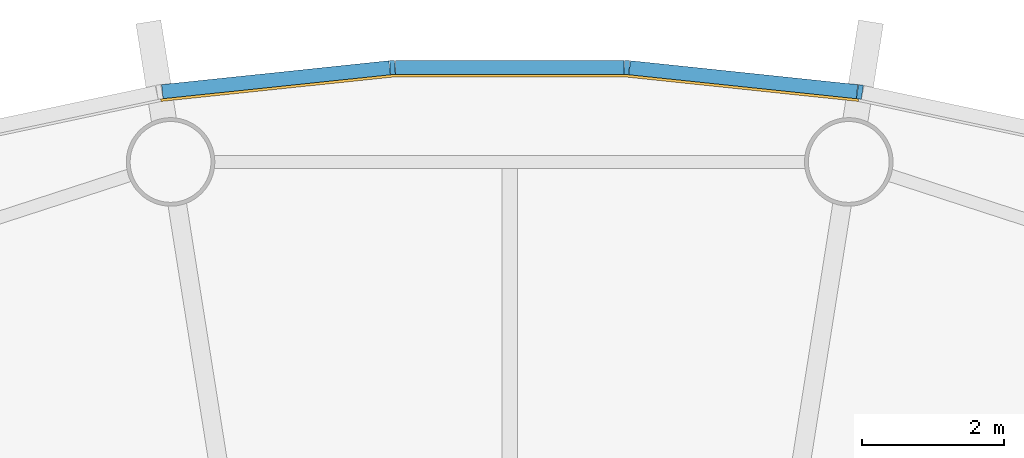
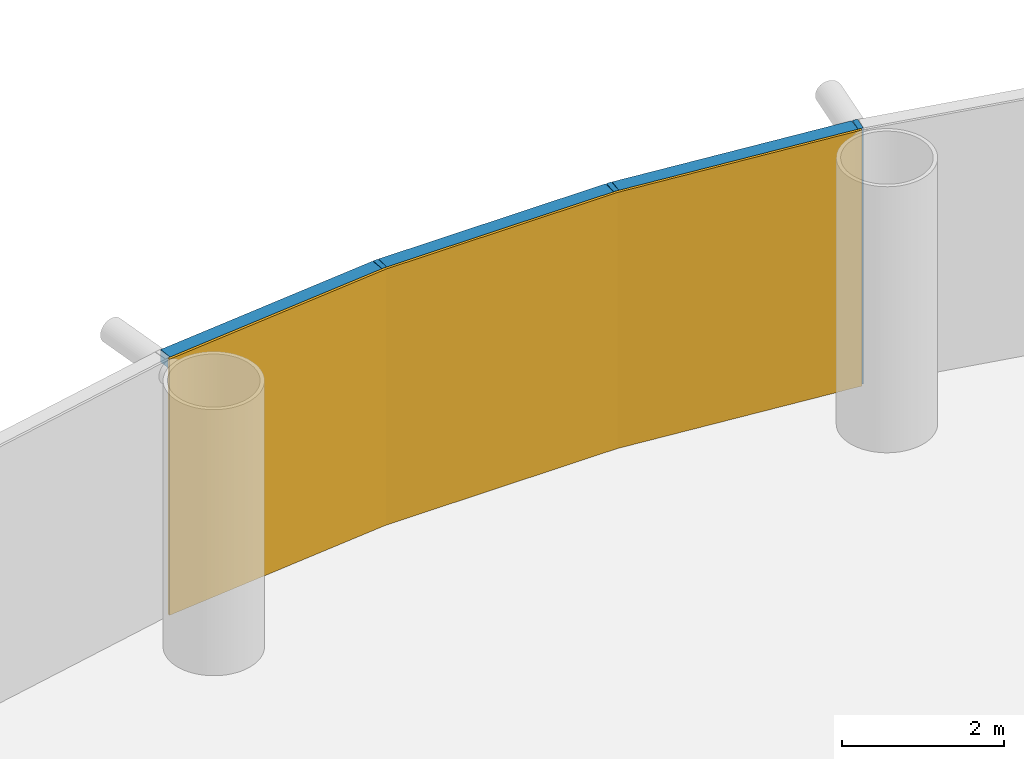
# One storey, part 11 of 13: 6 members, 1 curtain wall.
"""IFC4 building model written with IfcOpenShell, lengths in metres."""

from ifc_helpers import new_model, si_unit, direction, frame, origin, origin_2d, place, context, subcontext, project, spatial, polyline, rectangle, outline, extrude, material, layer, layer_set, material_profile, profile_set, type_object, element, aggregate, save


model = new_model("IFC4")

# Units and contexts
model_context = context("Model", 3, precision=1e-05, world=origin(), true_north=direction((0.0, 1.0)))
body_context = subcontext(model_context, "Body", "Model", "MODEL_VIEW")
ifc_project = project(units=[si_unit("LENGTHUNIT", "METRE"), si_unit("AREAUNIT", "SQUARE_METRE"), si_unit("VOLUMEUNIT", "CUBIC_METRE"), si_unit("PLANEANGLEUNIT", "RADIAN"), si_unit("MASSUNIT", "GRAM", prefix="KILO")], contexts=[model_context])

# Member
ifc_material_1 = material(Name="Anodised aluminium", Category="aluminium")
ifc_material_profile_1 = material_profile(ifc_material_1, rectangle(XDim=0.070068359375, YDim=0.199951171875, at=origin_2d()), Name="Mullion 70 x 200 mm anodised aluminium")
ifc_profile_set_1 = profile_set([ifc_material_profile_1], Name="Anodised aluminium")
member_type_1 = type_object("IfcMemberType", Name="Mullion 70 x 200 mm anodised aluminium", PredefinedType="MULLION", material=ifc_profile_set_1)
site_placement = place(None, origin())
building_placement = place(site_placement, origin())
storey_placement = place(building_placement, frame((0.0, 0.0, 112.0)))
member_1_placement = place(storey_placement, frame((94.943359375, 111.2109375, 0.0), z_axis=(0.0, 0.0, 1.0), x_axis=(-0.987688340595, 0.15643446504, 0.0)))
member_1 = element("IfcMember", 1, at=member_1_placement, type_object=member_type_1, Name="MULLION L25-12", PredefinedType="MULLION", context=body_context, shape_type="SweptSolid", body=[
    extrude(rectangle(XDim=0.070068359375, YDim=0.199951171875, at=origin_2d()), origin(), (0.0, 0.0, 1.0), 3.85009765625),
])

member_2_placement = place(storey_placement, frame((91.65380859375, 111.556640625, 0.0), z_axis=(0.0, 0.0, 1.0), x_axis=(-0.998629534755, 0.052335956243, 0.0)))
member_2 = element("IfcMember", 2, at=member_2_placement, type_object=member_type_1, Name="MULLION L25-13", PredefinedType="MULLION", context=body_context, shape_type="SweptSolid", body=[
    extrude(rectangle(XDim=0.070068359375, YDim=0.199951171875, at=origin_2d()), origin(), (0.0, 0.0, 1.0), 3.85009765625),
])

member_3_placement = place(storey_placement, frame((88.34619140625, 111.556640625, 0.0), z_axis=(0.0, 0.0, 1.0), x_axis=(-0.998629534755, -0.052335956243, 0.0)))
member_3 = element("IfcMember", 3, at=member_3_placement, type_object=member_type_1, Name="MULLION L25-14", PredefinedType="MULLION", context=body_context, shape_type="SweptSolid", body=[
    extrude(rectangle(XDim=0.070068359375, YDim=0.199951171875, at=origin_2d()), origin(), (0.0, 0.0, 1.0), 3.85009765625),
])

ifc_material_2 = material(Name="Anodised aluminium", Category="aluminium")
ifc_material_profile_2 = material_profile(ifc_material_2, rectangle(XDim=0.199951171875, YDim=0.18994140625, at=origin_2d()), Name="Transom 190 x 200 mm anodised aluminium")
ifc_profile_set_2 = profile_set([ifc_material_profile_2], Name="Anodised aluminium")
member_type_2 = type_object("IfcMemberType", Name="Transom 190 x 200 mm anodised aluminium", PredefinedType="USERDEFINED", material=ifc_profile_set_2)
member_4_placement = place(storey_placement, frame((94.9033203125, 111.21533203125, 3.7548828125), z_axis=(-0.994519537956, 0.104550890115, 0.0), x_axis=(-0.104550890115, -0.994519537956, 0.0)))
member_4 = element("IfcMember", 4, at=member_4_placement, type_object=member_type_2, Name="TRANSOM L25-12", ObjectType="TRANSOM", PredefinedType="USERDEFINED", context=body_context, shape_type="SweptSolid", body=[
    extrude(rectangle(XDim=0.199951171875, YDim=0.18994140625, at=origin_2d()), origin(), (0.0, 0.0, 1.0), 3.22705078125),
])

member_5_placement = place(storey_placement, frame((91.613525390625, 111.556884765625, 3.7548828125), z_axis=(-1.0, 0.0, 0.0), x_axis=(0.0, -1.0, 0.0)))
member_5 = element("IfcMember", 5, at=member_5_placement, type_object=member_type_2, Name="TRANSOM L25-13", ObjectType="TRANSOM", PredefinedType="USERDEFINED", context=body_context, shape_type="SweptSolid", body=[
    extrude(rectangle(XDim=0.199951171875, YDim=0.18994140625, at=origin_2d()), origin(), (0.0, 0.0, 1.0), 3.22705078125),
])

member_6_placement = place(storey_placement, frame((88.30615234375, 111.552734375, 3.7548828125), z_axis=(-0.994519537956, -0.104550890115, 0.0), x_axis=(0.104550890115, -0.994519537956, 0.0)))
member_6 = element("IfcMember", 6, at=member_6_placement, type_object=member_type_2, Name="TRANSOM L25-14", ObjectType="TRANSOM", PredefinedType="USERDEFINED", context=body_context, shape_type="SweptSolid", body=[
    extrude(rectangle(XDim=0.199951171875, YDim=0.18994140625, at=origin_2d()), origin(), (0.0, 0.0, 1.0), 3.22705078125),
])

# Site, building, storey
site = spatial("IfcSite", under=ifc_project, at=site_placement, CompositionType="ELEMENT")
building = spatial("IfcBuilding", under=site, at=building_placement, Name="Entoto Ring Tower", CompositionType="ELEMENT")
storey = spatial("IfcBuildingStorey", under=building, at=storey_placement, Name="L25", CompositionType="ELEMENT", Elevation=112.0)

# Curtain wall
ifc_material_3 = material(Name="Clear low-iron glass", Category="glass")
ifc_layer = layer(ifc_material_3, 0.035888671875)
ifc_layer_set = layer_set([ifc_layer], Name="Clear low-iron glass")
curtain_wall_type = type_object("IfcCurtainWallType", Name="Curtain wall system CW2 glazing 36 mm", PredefinedType="NOTDEFINED", material=ifc_layer_set)
curtain_wall_placement = place(storey_placement, origin())
curtain_wall = element("IfcCurtainWall", 7, at=curtain_wall_placement, inside=storey, type_object=curtain_wall_type, Name="CW2 L25-05", PredefinedType="NOTDEFINED", context=body_context, shape_type="SweptSolid", body=[
    extrude(outline(polyline([(94.927734375, 111.1123046875), (91.648681640625, 111.456787109375), (88.351318359375, 111.456787109375), (85.072265625, 111.1123046875), (85.077880859375, 111.07666015625), (88.353271484375, 111.4208984375), (91.646728515625, 111.4208984375), (94.922119140625, 111.07666015625), (94.927734375, 111.1123046875)])), origin(), (0.0, 0.0, 1.0), 3.85009765625),
])

aggregate(curtain_wall, [member_1, member_2, member_3, member_4, member_5, member_6])

save(model, "model.ifc")
